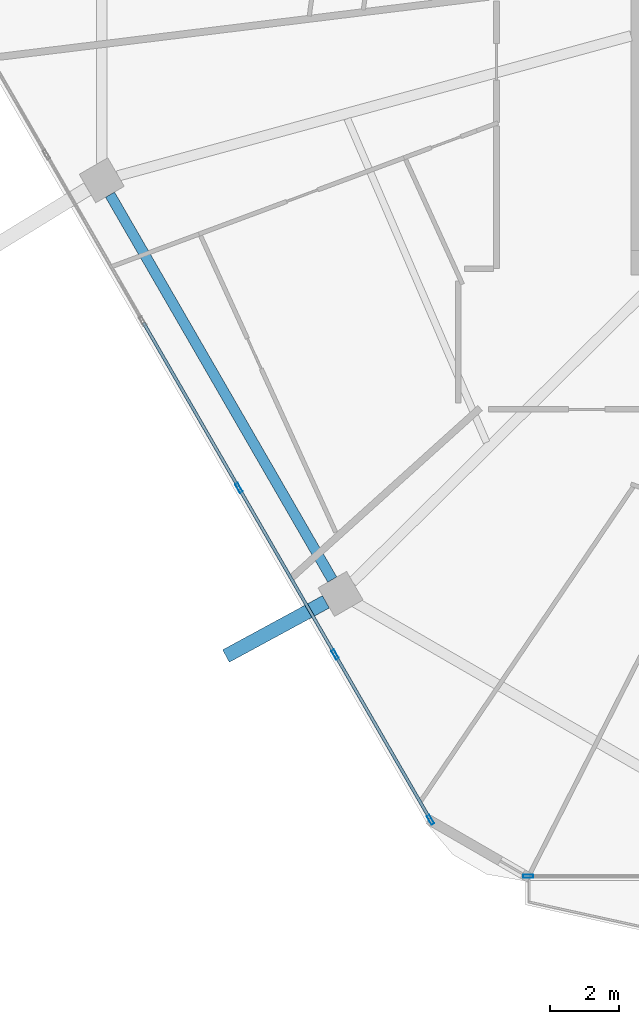
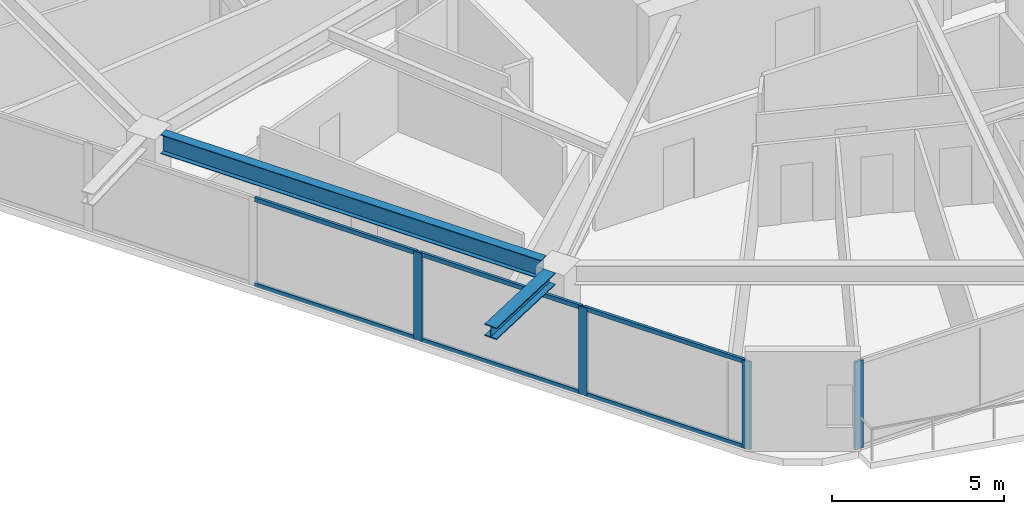
# One storey, part 2 of 25: 10 members, 2 beams, 2 elements without a shape of their own.
"""IFC4 building model written with IfcOpenShell, lengths in metres."""

from ifc_helpers import new_model, si_unit, direction, frame, origin, origin_2d, place, context, subcontext, project, spatial, hollow_rectangle, i_section, extrude, material, material_profile, profile_set, type_object, element, aggregate, save


model = new_model("IFC4")

# Units and contexts
model_context = context("Model", 3, precision=1e-05, world=origin(), true_north=direction((0.0, 1.0)))
body_context = subcontext(model_context, "Body", "Model", "MODEL_VIEW")
ifc_project = project(units=[si_unit("LENGTHUNIT", "METRE"), si_unit("AREAUNIT", "SQUARE_METRE"), si_unit("VOLUMEUNIT", "CUBIC_METRE"), si_unit("PLANEANGLEUNIT", "RADIAN"), si_unit("MASSUNIT", "GRAM", prefix="KILO")], contexts=[model_context])

# Site, building, storey
site_placement = place(None, origin())
site = spatial("IfcSite", under=ifc_project, at=site_placement, CompositionType="ELEMENT")
building_placement = place(site_placement, origin())
building = spatial("IfcBuilding", under=site, at=building_placement, Name="Zuhravey Tower", CompositionType="ELEMENT")
storey_placement = place(building_placement, frame((0.0, 0.0, 196.0)))
storey = spatial("IfcBuildingStorey", under=building, at=storey_placement, Name="L49", CompositionType="ELEMENT", Elevation=196.0)

# Curtain wall, member
ifc_material_1 = material(Name="Thermally broken anodised aluminium", Category="aluminium")
curtain_wall_type = type_object("IfcCurtainWallType", Name="Zone 1-2 Residential Curtain Wall CW3", PredefinedType="NOTDEFINED", material=ifc_material_1)
curtain_wall_1_placement = place(storey_placement, origin())
curtain_wall_1 = element("IfcCurtainWall", 1, at=curtain_wall_1_placement, inside=storey, type_object=curtain_wall_type, Name="L49 CW3 CW-L49-F5-2", PredefinedType="NOTDEFINED")
ifc_material_2 = material(Name="Anodised aluminium", Category="aluminium")
ifc_material_profile_1 = material_profile(ifc_material_2, hollow_rectangle(XDim=0.090087890625, YDim=0.284912109375, WallThickness=0.0048828125, at=origin_2d()), Name="ALU-RHS-90x285x5")
ifc_profile_set_1 = profile_set([ifc_material_profile_1], Name="Anodised aluminium")
member_type_1 = type_object("IfcMemberType", Name="Curtain-Wall Mullion 90x180", PredefinedType="MULLION", material=ifc_profile_set_1)
member_1_placement = place(storey_placement, frame((22.183837890625, 4.81689453125, 0.0), z_axis=(0.0, 0.0, 1.0), x_axis=(0.0, -1.0, 0.0)))
member_1 = element("IfcMember", 2, at=member_1_placement, type_object=member_type_1, Name="CW3 mullion 3", PredefinedType="MULLION", context=body_context, shape_type="SweptSolid", body=[
    extrude(hollow_rectangle(XDim=0.090087890625, YDim=0.284912109375, WallThickness=0.0048828125, at=origin_2d()), origin(), (0.0, 0.0, 1.0), 3.1220703125),
])
aggregate(curtain_wall_1, [member_1])

# Curtain wall, members
curtain_wall_2_placement = place(storey_placement, origin())
curtain_wall_2 = element("IfcCurtainWall", 3, at=curtain_wall_2_placement, inside=storey, type_object=curtain_wall_type, Name="L49 CW3 CW-L49-F4-1", PredefinedType="NOTDEFINED")
member_2_placement = place(storey_placement, frame((19.36669921875, 6.443359375, 0.0), z_axis=(0.0, 0.0, 1.0), x_axis=(-0.866025138215, -0.500000459979, 0.0)))
member_2 = element("IfcMember", 4, at=member_2_placement, type_object=member_type_1, Name="CW3 mullion 1", PredefinedType="MULLION", context=body_context, shape_type="SweptSolid", body=[
    extrude(hollow_rectangle(XDim=0.090087890625, YDim=0.284912109375, WallThickness=0.0048828125, at=origin_2d()), origin(), (0.0, 0.0, 1.0), 3.1220703125),
])
member_3_placement = place(storey_placement, frame((16.6171875, 11.2060546875, 0.0), z_axis=(0.0, 0.0, 1.0), x_axis=(-0.866025138215, -0.500000459979, 0.0)))
member_3 = element("IfcMember", 5, at=member_3_placement, type_object=member_type_1, Name="CW3 mullion 2", PredefinedType="MULLION", context=body_context, shape_type="SweptSolid", body=[
    extrude(hollow_rectangle(XDim=0.090087890625, YDim=0.284912109375, WallThickness=0.0048828125, at=origin_2d()), origin(), (0.0, 0.0, 1.0), 3.1220703125),
])
member_4_placement = place(storey_placement, frame((13.844970703125, 16.007568359375, 0.0), z_axis=(0.0, 0.0, 1.0), x_axis=(-0.866025138215, -0.500000459979, 0.0)))
member_4 = element("IfcMember", 6, at=member_4_placement, type_object=member_type_1, Name="CW3 mullion 3", PredefinedType="MULLION", context=body_context, shape_type="SweptSolid", body=[
    extrude(hollow_rectangle(XDim=0.090087890625, YDim=0.284912109375, WallThickness=0.0048828125, at=origin_2d()), origin(), (0.0, 0.0, 1.0), 3.1220703125),
])
ifc_material_profile_2 = material_profile(ifc_material_2, hollow_rectangle(XDim=0.090087890625, YDim=0.14990234375, WallThickness=0.0048828125, at=origin_2d()), Name="ALU-RHS-90x150x5")
ifc_profile_set_2 = profile_set([ifc_material_profile_2], Name="Anodised aluminium")
member_type_2 = type_object("IfcMemberType", Name="Curtain-Wall Transom 90x150", PredefinedType="USERDEFINED", material=ifc_profile_set_2)
member_5_placement = place(storey_placement, frame((19.34423828125, 6.482421875, 0.044921875), z_axis=(-0.499993332629, 0.866029253159, 0.0), x_axis=(-0.866029253159, -0.499993332629, 0.0)))
member_5 = element("IfcMember", 7, at=member_5_placement, type_object=member_type_2, Name="CW3 transom 1.1", ObjectType="TRANSOM", PredefinedType="USERDEFINED", context=body_context, shape_type="SweptSolid", body=[
    extrude(hollow_rectangle(XDim=0.090087890625, YDim=0.14990234375, WallThickness=0.0048828125, at=origin_2d()), origin(), (0.0, 0.0, 1.0), 5.4091796875),
])
member_6_placement = place(storey_placement, frame((19.34423828125, 6.482421875, 3.076904296875), z_axis=(-0.499993332629, 0.866029253159, 0.0), x_axis=(-0.866029253159, -0.499993332629, 0.0)))
member_6 = element("IfcMember", 8, at=member_6_placement, type_object=member_type_2, Name="CW3 transom 1.2", ObjectType="TRANSOM", PredefinedType="USERDEFINED", context=body_context, shape_type="SweptSolid", body=[
    extrude(hollow_rectangle(XDim=0.090087890625, YDim=0.14990234375, WallThickness=0.0048828125, at=origin_2d()), origin(), (0.0, 0.0, 1.0), 5.4091796875),
])
member_7_placement = place(storey_placement, frame((16.594482421875, 11.244873046875, 0.044921875), z_axis=(-0.49996138257, 0.86604769842, 0.0), x_axis=(-0.86604769842, -0.49996138257, 0.0)))
member_7 = element("IfcMember", 9, at=member_7_placement, type_object=member_type_2, Name="CW3 transom 2.1", ObjectType="TRANSOM", PredefinedType="USERDEFINED", context=body_context, shape_type="SweptSolid", body=[
    extrude(hollow_rectangle(XDim=0.090087890625, YDim=0.14990234375, WallThickness=0.0048828125, at=origin_2d()), origin(), (0.0, 0.0, 1.0), 5.45458984375),
])
member_8_placement = place(storey_placement, frame((16.594482421875, 11.244873046875, 3.076904296875), z_axis=(-0.49996138257, 0.86604769842, 0.0), x_axis=(-0.86604769842, -0.49996138257, 0.0)))
member_8 = element("IfcMember", 10, at=member_8_placement, type_object=member_type_2, Name="CW3 transom 2.2", ObjectType="TRANSOM", PredefinedType="USERDEFINED", context=body_context, shape_type="SweptSolid", body=[
    extrude(hollow_rectangle(XDim=0.090087890625, YDim=0.14990234375, WallThickness=0.0048828125, at=origin_2d()), origin(), (0.0, 0.0, 1.0), 5.45458984375),
])
member_9_placement = place(storey_placement, frame((13.822265625, 16.046630859375, 0.044921875), z_axis=(-0.499980763544, 0.866036509673, 0.0), x_axis=(-0.866036509673, -0.499980763544, 0.0)))
member_9 = element("IfcMember", 11, at=member_9_placement, type_object=member_type_2, Name="CW3 transom 3.1", ObjectType="TRANSOM", PredefinedType="USERDEFINED", context=body_context, shape_type="SweptSolid", body=[
    extrude(hollow_rectangle(XDim=0.090087890625, YDim=0.14990234375, WallThickness=0.0048828125, at=origin_2d()), origin(), (0.0, 0.0, 1.0), 5.454345703125),
])
member_10_placement = place(storey_placement, frame((13.822265625, 16.046630859375, 3.076904296875), z_axis=(-0.499980763544, 0.866036509673, 0.0), x_axis=(-0.866036509673, -0.499980763544, 0.0)))
member_10 = element("IfcMember", 12, at=member_10_placement, type_object=member_type_2, Name="CW3 transom 3.2", ObjectType="TRANSOM", PredefinedType="USERDEFINED", context=body_context, shape_type="SweptSolid", body=[
    extrude(hollow_rectangle(XDim=0.090087890625, YDim=0.14990234375, WallThickness=0.0048828125, at=origin_2d()), origin(), (0.0, 0.0, 1.0), 5.454345703125),
])
aggregate(curtain_wall_2, [member_2, member_3, member_4, member_5, member_6, member_7, member_8, member_9, member_10])

# Beams
ifc_material_3 = material(Name="Steel SM460", Category="steel")
ifc_material_profile_3 = material_profile(ifc_material_3, i_section(OverallWidth=0.406982421875, OverallDepth=0.427978515625, WebThickness=0.02001953125, FlangeThickness=0.034912109375, at=origin_2d()), Name="H-428x407x20x35")
ifc_profile_set_3 = profile_set([ifc_material_profile_3], Name="Steel SM460")
beam_type_1 = type_object("IfcBeamType", Name="Exoskeleton Node Tie Beam H428x407", PredefinedType="BEAM", material=ifc_profile_set_3)
beam_1_placement = place(storey_placement, frame((16.353271484375, 12.72509765625, 3.3359375), z_axis=(-0.87911121627, -0.476616690254, 0.0), x_axis=(0.476616690254, -0.87911121627, 0.0)))
element("IfcBeam", 13, at=beam_1_placement, inside=storey, type_object=beam_type_1, Name="L49 Exoskeleton Node Tie NT1-08", PredefinedType="BEAM", context=body_context, shape_type="SweptSolid", body=[
    extrude(i_section(OverallWidth=0.406982421875, OverallDepth=0.427978515625, WebThickness=0.02001953125, FlangeThickness=0.034912109375, at=origin_2d()), origin(), (0.0, 0.0, 1.0), 3.27734375),
])
ifc_material_4 = material(Name="Steel SM355", Category="steel")
ifc_material_profile_4 = material_profile(ifc_material_4, i_section(OverallWidth=0.300048828125, OverallDepth=0.679931640625, WebThickness=0.012939453125, FlangeThickness=0.02197265625, at=origin_2d()), Name="H-680x300x13x22")
ifc_profile_set_4 = profile_set([ifc_material_profile_4], Name="Steel SM355")
beam_type_2 = type_object("IfcBeamType", Name="Perimeter Ring Beam H680x300", PredefinedType="BEAM", material=ifc_profile_set_4)
beam_2_placement = place(storey_placement, frame((10.13134765625, 24.45947265625, 3.2099609375), z_axis=(0.500003505699, -0.866023379758, 0.0), x_axis=(0.866023379758, 0.500003505699, 0.0)))
element("IfcBeam", 14, at=beam_2_placement, inside=storey, type_object=beam_type_2, Name="L49 PB2 BM-L49-PB-07", PredefinedType="BEAM", context=body_context, shape_type="SweptSolid", body=[
    extrude(i_section(OverallWidth=0.300048828125, OverallDepth=0.679931640625, WebThickness=0.012939453125, FlangeThickness=0.02197265625, at=origin_2d()), origin(), (0.0, 0.0, 1.0), 12.80810546875),
])

save(model, "model.ifc")
